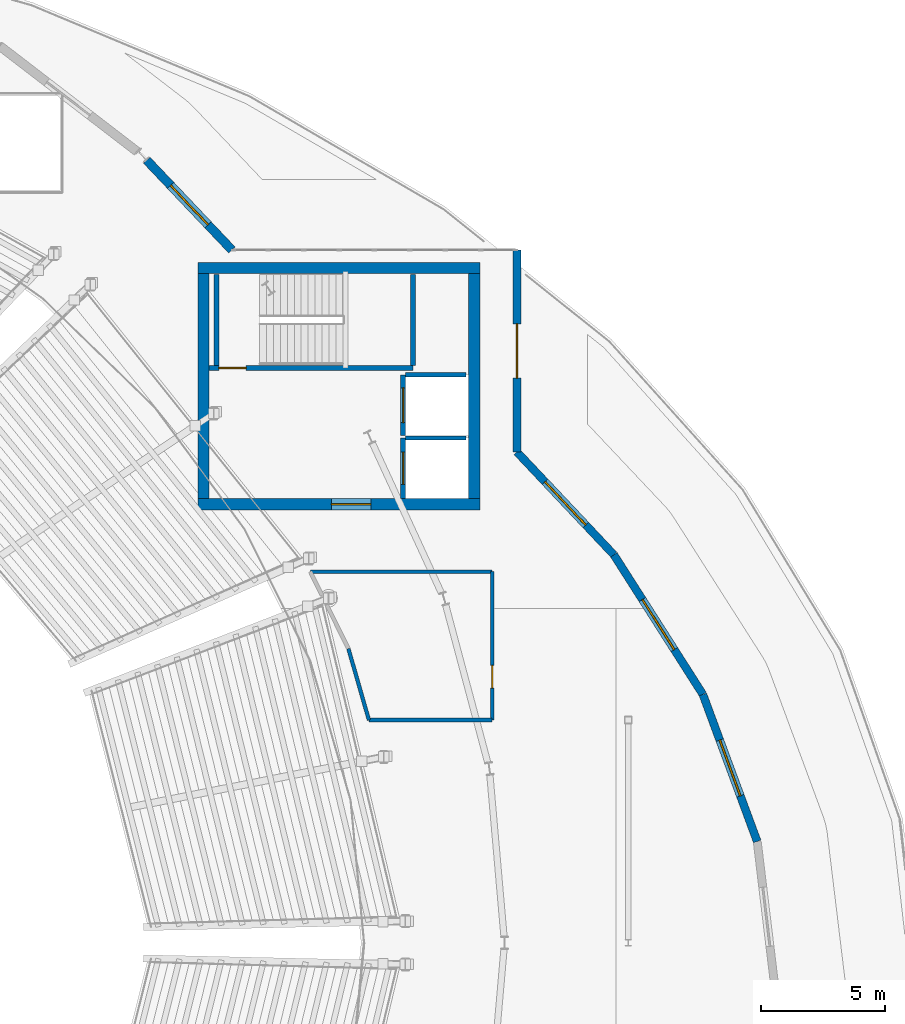
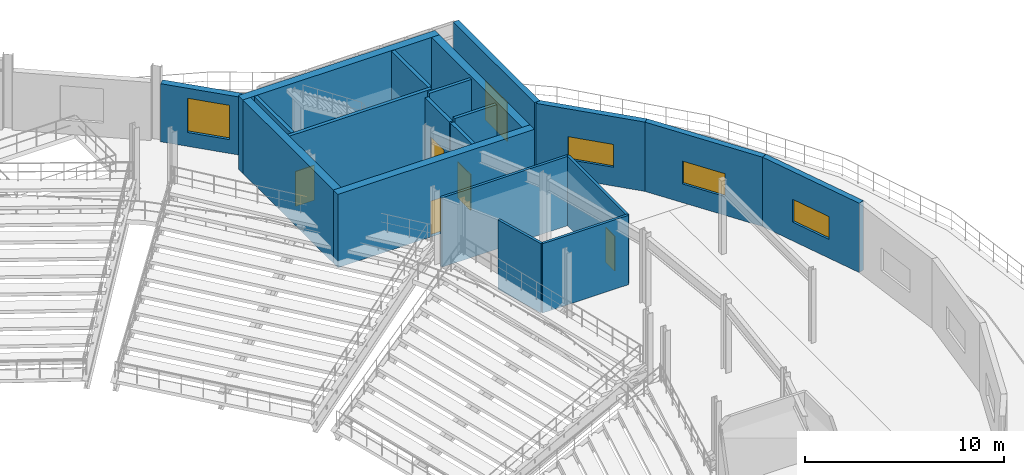
# One storey, part 60 of 81: 20 walls, 6 doors, 4 windows, 10 openings.
"""IFC4 building model written with IfcOpenShell, lengths in metres."""

from ifc_helpers import new_model, si_unit, direction, frame, frame_2d, origin, place, context, subcontext, project, spatial, rectangle, extrude, material, layer, layer_set, type_object, element, fill, save


model = new_model("IFC4")

# Units and contexts
model_context = context("Model", 3, precision=1e-05, world=origin(), true_north=direction((0.0, 1.0)))
body_context = subcontext(model_context, "Body", "Model", "MODEL_VIEW")
ifc_project = project(units=[si_unit("LENGTHUNIT", "METRE"), si_unit("AREAUNIT", "SQUARE_METRE"), si_unit("VOLUMEUNIT", "CUBIC_METRE"), si_unit("PLANEANGLEUNIT", "RADIAN"), si_unit("MASSUNIT", "GRAM", prefix="KILO")], contexts=[model_context])

# Site, building, storey
site_placement = place(None, origin())
site = spatial("IfcSite", under=ifc_project, at=site_placement, CompositionType="ELEMENT")
building_placement = place(site_placement, origin())
building = spatial("IfcBuilding", under=site, at=building_placement, Name="Glasvene Arena", CompositionType="ELEMENT")
storey_placement = place(building_placement, frame((0.0, 0.0, 15.0)))
storey = spatial("IfcBuildingStorey", under=building, at=storey_placement, Name="L03", CompositionType="ELEMENT", Elevation=15.0)

# Wall, opening, door
ifc_material_1 = material(Name="Concrete C40/50", Category="concrete")
ifc_layer_1 = layer(ifc_material_1, 0.449951171875)
ifc_layer_set_1 = layer_set([ifc_layer_1], Name="Concrete C40/50")
wall_type_1 = type_object("IfcWallType", Name="WL-CORE-450", PredefinedType="SHEAR", material=ifc_layer_set_1)
wall_1_placement = place(storey_placement, frame((129.60009765625, 90.72509765625, 0.0), z_axis=(0.0, 0.0, 1.0), x_axis=(1.0, 0.0, 0.0)))
wall_1 = element("IfcWall", 1, at=wall_1_placement, inside=storey, type_object=wall_type_1, Name="Core C2 North-East shear wall S L03", PredefinedType="SHEAR", context=body_context, shape_type="SweptSolid", body=[
    extrude(rectangle(XDim=11.39990234375, YDim=0.449951171875, at=frame_2d((5.699951171875, 0.0))), origin(), (0.0, 0.0, 1.0), 4.5),
])
opening_1_placement = place(wall_1_placement, frame((5.39990234375, 0.0, 0.0)))
opening_1 = element("IfcOpeningElement", 2, at=opening_1_placement, cuts=wall_1, Name="Opening D-02", PredefinedType="OPENING", context=body_context, shape_type="SweptSolid", body=[
    extrude(rectangle(XDim=1.60009765625, YDim=2.199951171875, at=frame_2d((0.800048828125, 1.10009765625))), frame((0.0, 0.23486328125, 0.0), z_axis=(0.0, -1.0, 0.0), x_axis=(1.0, 0.0, 0.0)), (0.0, 0.0, 1.0), 0.469970703125),
])
ifc_material_2 = material(Name="Painted fire-resisting steel", Category="steel")
door_type_1 = type_object("IfcDoorType", Name="DR-FD60-1600", OperationType="DOUBLE_DOOR_SINGLE_SWING", PredefinedType="DOOR", material=ifc_material_2)
door_1_placement = place(opening_1_placement, frame((1.60009765625, 0.0, 0.0), z_axis=(0.0, 0.0, 1.0), x_axis=(-1.0, 0.0, 0.0)))
door_1 = element("IfcDoor", 3, at=door_1_placement, inside=storey, type_object=door_type_1, Name="Core firefighting lobby concourse door C2-L03", OperationType="DOUBLE_DOOR_SINGLE_SWING", OverallHeight=2.199951171875, OverallWidth=1.60009765625, PredefinedType="DOOR", context=body_context, shape_type="SweptSolid", body=[
    extrude(rectangle(XDim=1.60009765625, YDim=2.199951171875, at=frame_2d((0.800048828125, 1.10009765625))), frame((0.0, 0.02490234375, 0.0), z_axis=(0.0, -1.0, 0.0), x_axis=(1.0, 0.0, 0.0)), (0.0, 0.0, 1.0), 0.050048828125),
])
fill(opening_1, door_1)

# Walls
wall_2_placement = place(storey_placement, frame((129.60009765625, 100.27490234375, 0.0), z_axis=(0.0, 0.0, 1.0), x_axis=(1.0, 0.0, 0.0)))
element("IfcWall", 4, at=wall_2_placement, inside=storey, type_object=wall_type_1, Name="Core C2 North-East shear wall N L03", PredefinedType="SHEAR", context=body_context, shape_type="SweptSolid", body=[
    extrude(rectangle(XDim=11.39990234375, YDim=0.449951171875, at=frame_2d((5.699951171875, 0.0))), origin(), (0.0, 0.0, 1.0), 4.5),
])
for number, where, z_axis, x_axis, name in (
    (5, (129.824951171875, 90.949951171875, 0.0), (0.0, 0.0, 1.0), (0.0, 1.0, 0.0), "Core C2 North-East shear wall W L03"),
    (6, (140.77490234375, 90.949951171875, 0.0), (0.0, 0.0, 1.0), (0.0, 1.0, 0.0), "Core C2 North-East shear wall E L03"),
):
    element("IfcWall", number, at=place(storey_placement, frame(where, z_axis=z_axis, x_axis=x_axis)), inside=storey, type_object=wall_type_1, Name=name, PredefinedType="SHEAR", context=body_context, shape_type="SweptSolid", body=[
        extrude(rectangle(XDim=9.10009765625, YDim=0.449951171875, at=frame_2d((4.550048828125, 0.0))), origin(), (0.0, 0.0, 1.0), 4.5),
    ])

# Wall, opening, window
ifc_material_3 = material(Name="Coursed pale Irish limestone", Category="masonry")
ifc_layer_2 = layer(ifc_material_3, 0.360107421875)
ifc_layer_set_2 = layer_set([ifc_layer_2], Name="Coursed pale Irish limestone")
wall_type_2 = type_object("IfcWallType", Name="WL-EXT-LIM-360", PredefinedType="STANDARD", material=ifc_layer_set_2)
wall_3_placement = place(storey_placement, frame((127.537109375, 104.628173828125, 0.0), z_axis=(0.0, 0.0, 1.0), x_axis=(0.688365813475, -0.725363706591, 0.0)))
wall_3 = element("IfcWall", 7, at=wall_3_placement, inside=storey, type_object=wall_type_2, Name="External facade wall EW-L03-0204", PredefinedType="STANDARD", context=body_context, shape_type="SweptSolid", body=[
    extrude(rectangle(XDim=5.001953125, YDim=0.360107421875, at=frame_2d((2.5009765625, 0.0))), origin(), (0.0, 0.0, 1.0), 3.5615234375),
])
opening_2_placement = place(wall_3_placement, frame((1.40087890625, 0.0, 0.85009765625)))
opening_2 = element("IfcOpeningElement", 8, at=opening_2_placement, cuts=wall_3, Name="Opening W-09", PredefinedType="OPENING", context=body_context, shape_type="SweptSolid", body=[
    extrude(rectangle(XDim=2.199951171875, YDim=2.10009765625, at=frame_2d((1.10009765625, 1.050048828125))), frame((0.0, 0.18994140625, 0.0), z_axis=(0.0, -1.0, 0.0), x_axis=(1.0, 0.0, 0.0)), (0.0, 0.0, 1.0), 0.380126953125),
])
ifc_material_4 = material(Name="Low-emissivity laminated double glazing", Category="glass")
window_type_1 = type_object("IfcWindowType", Name="WN-SUITE-220x210", PartitioningType="DOUBLE_PANEL_VERTICAL", PredefinedType="WINDOW", material=ifc_material_4)
window_1_placement = place(opening_2_placement, origin())
window_1 = element("IfcWindow", 9, at=window_1_placement, inside=storey, type_object=window_type_1, Name="Facade window WN-SUITE-220x210 L03-0129", OverallHeight=2.10009765625, OverallWidth=2.199951171875, PartitioningType="SINGLE_PANEL", PredefinedType="WINDOW", context=body_context, shape_type="SweptSolid", body=[
    extrude(rectangle(XDim=2.199951171875, YDim=2.10009765625, at=frame_2d((1.10009765625, 1.050048828125))), frame((0.0, 0.030029296875, 0.0), z_axis=(0.0, -1.0, 0.0), x_axis=(1.0, 0.0, 0.0)), (0.0, 0.0, 1.0), 0.06005859375),
])
fill(opening_2, window_1)

# Wall, opening, door
ifc_material_5 = material(Name="Precast concrete C50/60", Category="concrete")
ifc_layer_3 = layer(ifc_material_5, 0.320068359375)
ifc_layer_set_3 = layer_set([ifc_layer_3], Name="Precast concrete C50/60")
wall_type_3 = type_object("IfcWallType", Name="WL-EXT-PRC-320", PredefinedType="STANDARD", material=ifc_layer_set_3)
wall_4_placement = place(storey_placement, frame((142.5, 101.0, 0.0), z_axis=(0.0, 0.0, 1.0), x_axis=(0.0, -1.0, 0.0)))
wall_4 = element("IfcWall", 10, at=wall_4_placement, inside=storey, type_object=wall_type_3, Name="External facade wall EW-L03-0205", PredefinedType="STANDARD", context=body_context, shape_type="SweptSolid", body=[
    extrude(rectangle(XDim=8.165283203125, YDim=0.320068359375, at=frame_2d((4.08251953125, 0.0))), origin(), (0.0, 0.0, 1.0), 4.25),
])
opening_3_placement = place(wall_4_placement, frame((2.98291015625, 0.0, 0.0)))
opening_3 = element("IfcOpeningElement", 11, at=opening_3_placement, cuts=wall_4, Name="Opening TD-220", PredefinedType="OPENING", context=body_context, shape_type="SweptSolid", body=[
    extrude(rectangle(XDim=2.199951171875, YDim=2.39990234375, at=frame_2d((1.10009765625, 1.199951171875))), frame((0.0, 0.169921875, 0.0), z_axis=(0.0, -1.0, 0.0), x_axis=(1.0, 0.0, 0.0)), (0.0, 0.0, 1.0), 0.340087890625),
])
ifc_material_6 = material(Name="Anodised architectural aluminium", Category="aluminium")
door_type_2 = type_object("IfcDoorType", Name="DR-TERR-2200", OperationType="DOUBLE_DOOR_SINGLE_SWING", PredefinedType="DOOR", material=ifc_material_6)
door_2_placement = place(opening_3_placement, origin())
door_2 = element("IfcDoor", 12, at=door_2_placement, inside=storey, type_object=door_type_2, Name="Terrace lounge glazed exit door TD-L03-04", OperationType="DOUBLE_DOOR_SINGLE_SWING", OverallHeight=2.39990234375, OverallWidth=2.199951171875, PredefinedType="DOOR", context=body_context, shape_type="SweptSolid", body=[
    extrude(rectangle(XDim=2.199951171875, YDim=2.39990234375, at=frame_2d((1.10009765625, 1.199951171875))), frame((0.0, 0.02490234375, 0.0), z_axis=(0.0, -1.0, 0.0), x_axis=(1.0, 0.0, 0.0)), (0.0, 0.0, 1.0), 0.050048828125),
])
fill(opening_3, door_2)

# Wall, opening, window
wall_5_placement = place(storey_placement, frame((142.5, 92.834716796875, 0.0), z_axis=(0.0, 0.0, 1.0), x_axis=(0.68612091604, -0.727487517812, 0.0)))
wall_5 = element("IfcWall", 13, at=wall_5_placement, inside=storey, type_object=wall_type_3, Name="External facade wall EW-L03-0206", PredefinedType="STANDARD", context=body_context, shape_type="SweptSolid", body=[
    extrude(rectangle(XDim=5.70703125, YDim=0.320068359375, at=frame_2d((2.853515625, 0.0))), origin(), (0.0, 0.0, 1.0), 4.25),
])
opening_4_placement = place(wall_5_placement, frame((1.654052734375, 0.0, 1.14990234375)))
opening_4 = element("IfcOpeningElement", 14, at=opening_4_placement, cuts=wall_5, Name="Opening W-18", PredefinedType="OPENING", context=body_context, shape_type="SweptSolid", body=[
    extrude(rectangle(XDim=2.39990234375, YDim=1.39990234375, at=frame_2d((1.199951171875, 0.699951171875))), frame((0.0, 0.169921875, 0.0), z_axis=(0.0, -1.0, 0.0), x_axis=(1.0, 0.0, 0.0)), (0.0, 0.0, 1.0), 0.340087890625),
])
window_type_2 = type_object("IfcWindowType", Name="WN-LOUV-240x140", PartitioningType="DOUBLE_PANEL_HORIZONTAL", PredefinedType="WINDOW", material=ifc_material_4)
window_2_placement = place(opening_4_placement, origin())
window_2 = element("IfcWindow", 15, at=window_2_placement, inside=storey, type_object=window_type_2, Name="Facade window WN-LOUV-240x140 L03-0130", OverallHeight=1.39990234375, OverallWidth=2.39990234375, PartitioningType="SINGLE_PANEL", PredefinedType="WINDOW", context=body_context, shape_type="SweptSolid", body=[
    extrude(rectangle(XDim=2.39990234375, YDim=1.39990234375, at=frame_2d((1.199951171875, 0.699951171875))), frame((0.0, 0.030029296875, 0.0), z_axis=(0.0, -1.0, 0.0), x_axis=(1.0, 0.0, 0.0)), (0.0, 0.0, 1.0), 0.06005859375),
])
fill(opening_4, window_2)

wall_6_placement = place(storey_placement, frame((146.415771484375, 88.682861328125, 0.0), z_axis=(0.0, 0.0, 1.0), x_axis=(0.537590064709, -0.843206334373, 0.0)))
wall_6 = element("IfcWall", 16, at=wall_6_placement, inside=storey, type_object=wall_type_3, Name="External facade wall EW-L03-0207", PredefinedType="STANDARD", context=body_context, shape_type="SweptSolid", body=[
    extrude(rectangle(XDim=6.69677734375, YDim=0.320068359375, at=frame_2d((3.348388671875, 0.0))), origin(), (0.0, 0.0, 1.0), 4.25),
])
opening_5_placement = place(wall_6_placement, frame((2.14794921875, 0.0, 1.14990234375)))
opening_5 = element("IfcOpeningElement", 17, at=opening_5_placement, cuts=wall_6, Name="Opening W-18", PredefinedType="OPENING", context=body_context, shape_type="SweptSolid", body=[
    extrude(rectangle(XDim=2.39990234375, YDim=1.39990234375, at=frame_2d((1.199951171875, 0.699951171875))), frame((0.0, 0.169921875, 0.0), z_axis=(0.0, -1.0, 0.0), x_axis=(1.0, 0.0, 0.0)), (0.0, 0.0, 1.0), 0.340087890625),
])
window_3_placement = place(opening_5_placement, origin())
window_3 = element("IfcWindow", 18, at=window_3_placement, inside=storey, type_object=window_type_2, Name="Facade window WN-LOUV-240x140 L03-0131", OverallHeight=1.39990234375, OverallWidth=2.39990234375, PartitioningType="SINGLE_PANEL", PredefinedType="WINDOW", context=body_context, shape_type="SweptSolid", body=[
    extrude(rectangle(XDim=2.39990234375, YDim=1.39990234375, at=frame_2d((1.199951171875, 0.699951171875))), frame((0.0, 0.030029296875, 0.0), z_axis=(0.0, -1.0, 0.0), x_axis=(1.0, 0.0, 0.0)), (0.0, 0.0, 1.0), 0.06005859375),
])
fill(opening_5, window_3)

wall_7_placement = place(storey_placement, frame((150.015869140625, 83.0361328125, 0.0), z_axis=(0.0, 0.0, 1.0), x_axis=(0.346605182527, -0.938011112645, 0.0)))
wall_7 = element("IfcWall", 19, at=wall_7_placement, inside=storey, type_object=wall_type_3, Name="External facade wall EW-L03-0208", PredefinedType="STANDARD", context=body_context, shape_type="SweptSolid", body=[
    extrude(rectangle(XDim=6.3359375, YDim=0.320068359375, at=frame_2d((3.16796875, 0.0))), origin(), (0.0, 0.0, 1.0), 4.25),
])
opening_6_placement = place(wall_7_placement, frame((1.968017578125, 0.0, 1.14990234375)))
opening_6 = element("IfcOpeningElement", 20, at=opening_6_placement, cuts=wall_7, Name="Opening W-18", PredefinedType="OPENING", context=body_context, shape_type="SweptSolid", body=[
    extrude(rectangle(XDim=2.39990234375, YDim=1.39990234375, at=frame_2d((1.199951171875, 0.699951171875))), frame((0.0, 0.169921875, 0.0), z_axis=(0.0, -1.0, 0.0), x_axis=(1.0, 0.0, 0.0)), (0.0, 0.0, 1.0), 0.340087890625),
])
window_4_placement = place(opening_6_placement, origin())
window_4 = element("IfcWindow", 21, at=window_4_placement, inside=storey, type_object=window_type_2, Name="Facade window WN-LOUV-240x140 L03-0132", OverallHeight=1.39990234375, OverallWidth=2.39990234375, PartitioningType="SINGLE_PANEL", PredefinedType="WINDOW", context=body_context, shape_type="SweptSolid", body=[
    extrude(rectangle(XDim=2.39990234375, YDim=1.39990234375, at=frame_2d((1.199951171875, 0.699951171875))), frame((0.0, 0.030029296875, 0.0), z_axis=(0.0, -1.0, 0.0), x_axis=(1.0, 0.0, 0.0)), (0.0, 0.0, 1.0), 0.06005859375),
])
fill(opening_6, window_4)

# Wall, opening, door
ifc_material_7 = material(Name="Insulated acoustic metal-stud partition")
ifc_layer_4 = layer(ifc_material_7, 0.14990234375)
ifc_layer_set_4 = layer_set([ifc_layer_4], Name="Insulated acoustic metal-stud partition")
wall_type_4 = type_object("IfcWallType", Name="WL-PART-150", PredefinedType="PARTITIONING", material=ifc_layer_set_4)
wall_8_placement = place(storey_placement, frame((141.5, 88.0, 0.0), z_axis=(0.0, 0.0, 1.0), x_axis=(0.0, -1.0, 0.0)))
wall_8 = element("IfcWall", 22, at=wall_8_placement, inside=storey, type_object=wall_type_4, Name="Interior partition wall IW-L03-0262 (Founders Hospitality Suite 04)", PredefinedType="PARTITIONING", context=body_context, shape_type="SweptSolid", body=[
    extrude(rectangle(XDim=6.0, YDim=0.14990234375, at=frame_2d((3.0, 0.0))), origin(), (0.0, 0.0, 1.0), 4.25),
])
opening_7_placement = place(wall_8_placement, frame((3.7900390625, 0.0, 0.0)))
opening_7 = element("IfcOpeningElement", 23, at=opening_7_placement, cuts=wall_8, Name="Opening D-12", PredefinedType="OPENING", context=body_context, shape_type="SweptSolid", body=[
    extrude(rectangle(XDim=0.919921875, YDim=2.14990234375, at=frame_2d((0.4599609375, 1.074951171875))), frame((0.0, 0.0849609375, 0.0), z_axis=(0.0, -1.0, 0.0), x_axis=(1.0, 0.0, 0.0)), (0.0, 0.0, 1.0), 0.169921875),
])
ifc_material_8 = material(Name="European oak acoustic timber", Category="wood")
door_type_3 = type_object("IfcDoorType", Name="DR-SUITE-920", OperationType="NOTDEFINED", PredefinedType="DOOR", material=ifc_material_8)
door_3_placement = place(opening_7_placement, origin())
door_3 = element("IfcDoor", 24, at=door_3_placement, inside=storey, type_object=door_type_3, Name="Interior door DR-SUITE-920 (Founders Hospitality Suite 04)", OperationType="SINGLE_SWING_RIGHT", OverallHeight=2.14990234375, OverallWidth=0.919921875, PredefinedType="DOOR", context=body_context, shape_type="SweptSolid", body=[
    extrude(rectangle(XDim=0.919921875, YDim=2.14990234375, at=frame_2d((0.4599609375, 1.074951171875))), frame((0.0, 0.02490234375, 0.0), z_axis=(0.0, -1.0, 0.0), x_axis=(1.0, 0.0, 0.0)), (0.0, 0.0, 1.0), 0.050048828125),
])
fill(opening_7, door_3)

# Walls
wall_9_placement = place(storey_placement, frame((141.5, 82.0, 0.0), z_axis=(0.0, 0.0, 1.0), x_axis=(-1.0, 0.0, 0.0)))
element("IfcWall", 25, at=wall_9_placement, inside=storey, type_object=wall_type_4, Name="Interior partition wall IW-L03-0263 (Founders Hospitality Suite 04)", PredefinedType="PARTITIONING", context=body_context, shape_type="SweptSolid", body=[
    extrude(rectangle(XDim=4.98193359375, YDim=0.14990234375, at=frame_2d((2.490966796875, 0.0))), origin(), (0.0, 0.0, 1.0), 4.25),
])
wall_10_placement = place(storey_placement, frame((136.51806640625, 82.0, 0.0), z_axis=(0.0, 0.0, 1.0), x_axis=(-0.276116855518, 0.961124072167, 0.0)))
element("IfcWall", 26, at=wall_10_placement, inside=storey, type_object=wall_type_4, Name="Interior partition wall IW-L03-0264 (Founders Hospitality Suite 04)", PredefinedType="PARTITIONING", context=body_context, shape_type="SweptSolid", body=[
    extrude(rectangle(XDim=3.002685546875, YDim=0.14990234375, at=frame_2d((1.50146484375, 0.0))), origin(), (0.0, 0.0, 1.0), 4.25),
])
wall_11_placement = place(storey_placement, frame((134.147216796875, 88.0, 0.0), z_axis=(0.0, 0.0, 1.0), x_axis=(1.0, 0.0, 0.0)))
element("IfcWall", 27, at=wall_11_placement, inside=storey, type_object=wall_type_4, Name="Interior partition wall IW-L03-0267 (Founders Hospitality Suite 04)", PredefinedType="PARTITIONING", context=body_context, shape_type="SweptSolid", body=[
    extrude(rectangle(XDim=7.352783203125, YDim=0.14990234375, at=frame_2d((3.67626953125, 0.0))), origin(), (0.0, 0.0, 1.0), 4.25),
])

# Wall, opening, door
ifc_layer_5 = layer(ifc_material_1, 0.199951171875)
ifc_layer_set_5 = layer_set([ifc_layer_5], Name="Concrete C40/50")
wall_type_5 = type_object("IfcWallType", Name="WL-SHAFT-200", PredefinedType="SHEAR", material=ifc_layer_set_5)
wall_12_placement = place(storey_placement, frame((137.89990234375, 90.949951171875, 0.0), z_axis=(0.0, 0.0, 1.0), x_axis=(0.0, 1.0, 0.0)))
wall_12 = element("IfcWall", 28, at=wall_12_placement, inside=storey, type_object=wall_type_5, Name="Lift shaft front wall FFL-02 L03", PredefinedType="SHEAR", context=body_context, shape_type="SweptSolid", body=[
    extrude(rectangle(XDim=2.449951171875, YDim=0.199951171875, at=frame_2d((1.22509765625, 0.0))), origin(), (0.0, 0.0, 1.0), 4.25),
])
opening_8_placement = place(wall_12_placement, frame((0.574951171875, 0.0, 0.0)))
opening_8 = element("IfcOpeningElement", 29, at=opening_8_placement, cuts=wall_12, Name="Opening LD-FF", PredefinedType="OPENING", context=body_context, shape_type="SweptSolid", body=[
    extrude(rectangle(XDim=1.300048828125, YDim=2.199951171875, at=frame_2d((0.64990234375, 1.10009765625))), frame((0.0, 0.10986328125, 0.0), z_axis=(0.0, -1.0, 0.0), x_axis=(1.0, 0.0, 0.0)), (0.0, 0.0, 1.0), 0.219970703125),
])
ifc_material_9 = material(Name="Brushed stainless steel", Category="steel")
door_type_4 = type_object("IfcDoorType", Name="LD-FFL-1300", OperationType="DOUBLE_DOOR_SLIDING", PredefinedType="DOOR", material=ifc_material_9)
door_4_placement = place(opening_8_placement, origin())
door_4 = element("IfcDoor", 30, at=door_4_placement, inside=storey, type_object=door_type_4, Name="Lift sliding landing door LD-FFL-02-L03", OperationType="DOUBLE_DOOR_SLIDING", OverallHeight=2.199951171875, OverallWidth=1.300048828125, PredefinedType="DOOR", context=body_context, shape_type="SweptSolid", body=[
    extrude(rectangle(XDim=1.300048828125, YDim=2.199951171875, at=frame_2d((0.64990234375, 1.10009765625))), frame((0.0, 0.02490234375, 0.0), z_axis=(0.0, -1.0, 0.0), x_axis=(1.0, 0.0, 0.0)), (0.0, 0.0, 1.0), 0.050048828125),
])
fill(opening_8, door_4)

wall_13_placement = place(storey_placement, frame((137.89990234375, 93.5, 0.0), z_axis=(0.0, 0.0, 1.0), x_axis=(0.0, 1.0, 0.0)))
wall_13 = element("IfcWall", 31, at=wall_13_placement, inside=storey, type_object=wall_type_5, Name="Lift shaft front wall PL-02 L03", PredefinedType="SHEAR", context=body_context, shape_type="SweptSolid", body=[
    extrude(rectangle(XDim=2.449951171875, YDim=0.199951171875, at=frame_2d((1.22509765625, 0.0))), origin(), (0.0, 0.0, 1.0), 4.25),
])
opening_9_placement = place(wall_13_placement, frame((0.52490234375, 0.0, 0.0)))
opening_9 = element("IfcOpeningElement", 32, at=opening_9_placement, cuts=wall_13, Name="Opening LD-PL", PredefinedType="OPENING", context=body_context, shape_type="SweptSolid", body=[
    extrude(rectangle(XDim=1.39990234375, YDim=2.199951171875, at=frame_2d((0.699951171875, 1.10009765625))), frame((0.0, 0.10986328125, 0.0), z_axis=(0.0, -1.0, 0.0), x_axis=(1.0, 0.0, 0.0)), (0.0, 0.0, 1.0), 0.219970703125),
])
door_type_5 = type_object("IfcDoorType", Name="LD-PL-1400", OperationType="DOUBLE_DOOR_SLIDING", PredefinedType="DOOR", material=ifc_material_9)
door_5_placement = place(opening_9_placement, origin())
door_5 = element("IfcDoor", 33, at=door_5_placement, inside=storey, type_object=door_type_5, Name="Lift sliding landing door LD-PL-02-L03", OperationType="DOUBLE_DOOR_SLIDING", OverallHeight=2.199951171875, OverallWidth=1.39990234375, PredefinedType="DOOR", context=body_context, shape_type="SweptSolid", body=[
    extrude(rectangle(XDim=1.39990234375, YDim=2.199951171875, at=frame_2d((0.699951171875, 1.10009765625))), frame((0.0, 0.02490234375, 0.0), z_axis=(0.0, -1.0, 0.0), x_axis=(1.0, 0.0, 0.0)), (0.0, 0.0, 1.0), 0.050048828125),
])
fill(opening_9, door_5)

wall_14_placement = place(storey_placement, frame((130.052001953125, 96.22998046875, 0.0), z_axis=(0.0, 0.0, 1.0), x_axis=(1.0, 0.0, 0.0)))
wall_14 = element("IfcWall", 34, at=wall_14_placement, inside=storey, type_object=wall_type_5, Name="Escape stair shaft wall ST-02 L03 S", PredefinedType="SHEAR", context=body_context, shape_type="SweptSolid", body=[
    extrude(rectangle(XDim=8.248046875, YDim=0.199951171875, at=frame_2d((4.1240234375, 0.0))), origin(), (0.0, 0.0, 1.0), 4.5),
])
opening_10_placement = place(wall_14_placement, frame((0.39990234375, 0.0, 0.0)))
opening_10 = element("IfcOpeningElement", 35, at=opening_10_placement, cuts=wall_14, Name="Opening D-04", PredefinedType="OPENING", context=body_context, shape_type="SweptSolid", body=[
    extrude(rectangle(XDim=1.10009765625, YDim=2.14990234375, at=frame_2d((0.550048828125, 1.074951171875))), frame((0.0, 0.10986328125, 0.0), z_axis=(0.0, -1.0, 0.0), x_axis=(1.0, 0.0, 0.0)), (0.0, 0.0, 1.0), 0.219970703125),
])
door_type_6 = type_object("IfcDoorType", Name="DR-FD60-1100", OperationType="NOTDEFINED", PredefinedType="DOOR", material=ifc_material_2)
door_6_placement = place(opening_10_placement, frame((1.10009765625, 0.0, 0.0), z_axis=(0.0, 0.0, 1.0), x_axis=(-1.0, 0.0, 0.0)))
door_6 = element("IfcDoor", 36, at=door_6_placement, inside=storey, type_object=door_type_6, Name="Protected escape stair door ST-02 L03", OperationType="SINGLE_SWING_LEFT", OverallHeight=2.14990234375, OverallWidth=1.10009765625, PredefinedType="DOOR", context=body_context, shape_type="SweptSolid", body=[
    extrude(rectangle(XDim=1.10009765625, YDim=2.14990234375, at=frame_2d((0.550048828125, 1.074951171875))), frame((0.0, 0.02490234375, 0.0), z_axis=(0.0, -1.0, 0.0), x_axis=(1.0, 0.0, 0.0)), (0.0, 0.0, 1.0), 0.050048828125),
])
fill(opening_10, door_6)

# Walls
for number, where, z_axis, x_axis, name in (
    (37, (130.35009765625, 96.33203125, 0.0), (0.0, 0.0, 1.0), (0.0, 1.0, 0.0), "Escape stair shaft wall ST-02 L03 W"),
    (38, (138.300048828125, 96.33203125, 0.0), (0.0, 0.0, 1.0), (0.0, 1.0, 0.0), "Escape stair shaft wall ST-02 L03 E"),
):
    element("IfcWall", number, at=place(storey_placement, frame(where, z_axis=z_axis, x_axis=x_axis)), inside=storey, type_object=wall_type_5, Name=name, PredefinedType="SHEAR", context=body_context, shape_type="SweptSolid", body=[
        extrude(rectangle(XDim=3.68603515625, YDim=0.199951171875, at=frame_2d((1.843017578125, 0.0))), origin(), (0.0, 0.0, 1.0), 4.5),
    ])
ifc_material_10 = material(Name="Moisture-resistant masonry blockwork", Category="masonry")
ifc_layer_6 = layer(ifc_material_10, 0.179931640625)
ifc_layer_set_6 = layer_set([ifc_layer_6], Name="Moisture-resistant masonry blockwork")
wall_type_6 = type_object("IfcWallType", Name="WL-WET-180", PredefinedType="PARTITIONING", material=ifc_layer_set_6)
for number, where, z_axis, x_axis, name in (
    (39, (138.0, 93.39990234375, 0.0), (0.0, 0.0, 1.0), (1.0, 0.0, 0.0), "Lift shaft divider wall C2 L03"),
    (40, (138.0, 95.949951171875, 0.0), (0.0, 0.0, 1.0), (1.0, 0.0, 0.0), "Lift shaft north enclosure wall C2 L03"),
):
    element("IfcWall", number, at=place(storey_placement, frame(where, z_axis=z_axis, x_axis=x_axis)), inside=storey, type_object=wall_type_6, Name=name, PredefinedType="PARTITIONING", context=body_context, shape_type="SweptSolid", body=[
        extrude(rectangle(XDim=2.449951171875, YDim=0.179931640625, at=frame_2d((1.22509765625, 0.0))), origin(), (0.0, 0.0, 1.0), 4.5),
    ])

save(model, "model.ifc")
